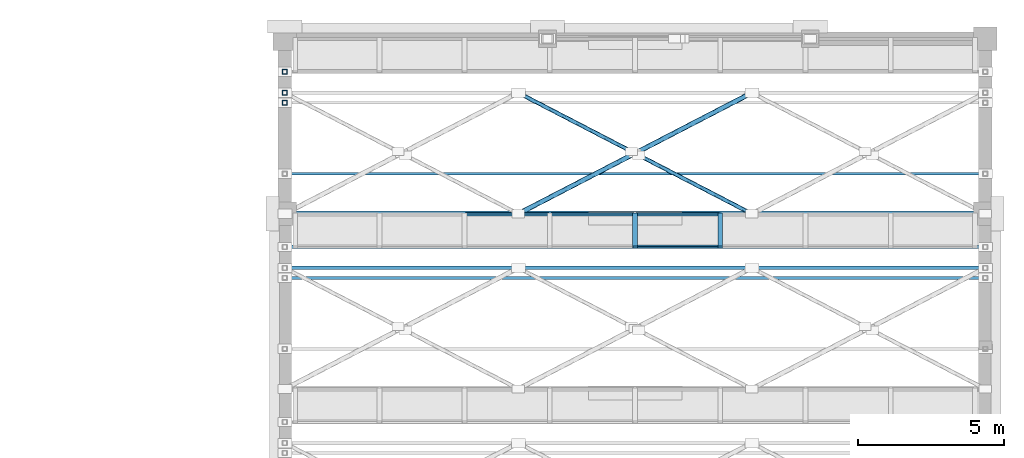
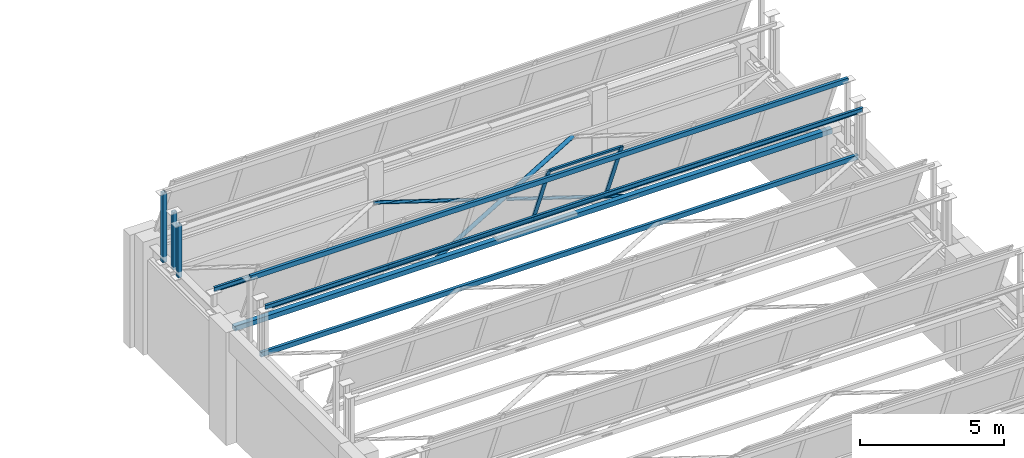
# One storey, part 60 of 98: 15 members, 2 beams, 1 element without a shape of its own.
"""IFC4 building model written with IfcOpenShell, lengths in metres."""

import ifcopenshell
import ifcopenshell.guid

model = None  # the IFC model being written
_history = None  # IfcOwnerHistory: only IFC2X3 demands one
_inside = {}  # id of a spatial element -> (the spatial element, [elements in it])
_under = {}  # id of a project, library or spatial element -> (it, [spatial elements below it])
_declared = {}  # id of a project -> (the project, [libraries it declares])
_typed = {}  # id of a type object -> (the type object, [elements of that type])
_made_of = {}  # id of a material, layer set ... -> (it, [elements and type objects made of it])


def new_model(schema):
    """Start an empty IFC model of exactly this schema.

    Asked for "IFC4X3", IfcOpenShell would pick the latest addendum, in which some entities
    have other attributes; the version numbers below select the first issue.
    IFC2X3 requires an IfcOwnerHistory on every rooted entity: one is made here for all.
    """
    global model, _history
    if schema == "IFC4X3":
        model = ifcopenshell.file(schema_version=(4, 3, 0, 0))
    else:
        model = ifcopenshell.file(schema=schema)
    _inside.clear()
    _under.clear()
    _declared.clear()
    _typed.clear()
    _made_of.clear()
    _history = None
    if model.schema == "IFC2X3":
        org = make("IfcOrganization", Name="unknown")
        user = make(
            "IfcPersonAndOrganization",
            ThePerson=make("IfcPerson", FamilyName="unknown"),
            TheOrganization=org,
        )
        app = make(
            "IfcApplication",
            ApplicationDeveloper=org,
            Version="unknown",
            ApplicationFullName="unknown",
            ApplicationIdentifier="unknown",
        )
        _history = make(
            "IfcOwnerHistory",
            OwningUser=user,
            OwningApplication=app,
            ChangeAction="ADDED",
            CreationDate=0,
        )
    return model


def make(cls, **values):
    """One entity of the class cls with the attributes given. An attribute that is None is left unset."""
    return model.create_entity(
        cls, **{name: value for name, value in values.items() if value is not None}
    )


def rooted(cls, **values):
    """An entity with a GlobalId (a new one), such as an element, a storey or a relation."""
    return make(cls, GlobalId=ifcopenshell.guid.new(), OwnerHistory=_history, **values)


def si_unit(unit_type, name, prefix=None):
    """IfcSIUnit, for example si_unit("LENGTHUNIT", "METRE", prefix="MILLI")."""
    return make("IfcSIUnit", UnitType=unit_type, Prefix=prefix, Name=name)


def assignment(units):
    """IfcUnitAssignment: the units of a project."""
    return None if units is None else make("IfcUnitAssignment", Units=units)


def point(xyz):
    """IfcCartesianPoint."""
    return None if xyz is None else make("IfcCartesianPoint", Coordinates=xyz)


def direction(xyz):
    """IfcDirection."""
    return None if xyz is None else make("IfcDirection", DirectionRatios=xyz)


def frame(location, z_axis=None, x_axis=None):
    """IfcAxis2Placement3D, a coordinate frame: its origin and axes. An axis left out is left unset."""
    return make(
        "IfcAxis2Placement3D",
        Location=point(location),
        Axis=direction(z_axis),
        RefDirection=direction(x_axis),
    )


def frame_2d(location, x_axis=None):
    """IfcAxis2Placement2D, a coordinate frame in the plane: its origin and x axis."""
    return make(
        "IfcAxis2Placement2D", Location=point(location), RefDirection=direction(x_axis)
    )


def origin():
    """The frame at (0, 0, 0) with its axes left unset."""
    return frame((0.0, 0.0, 0.0))


def origin_2d():
    """The frame at (0, 0) in the plane with its x axis left unset."""
    return frame_2d((0.0, 0.0))


def place(relative_to, where):
    """IfcLocalPlacement: puts the frame where relative to a parent placement (None: the world)."""
    return make(
        "IfcLocalPlacement", PlacementRelTo=relative_to, RelativePlacement=where
    )


def context(
    kind, dimensions, precision=None, world=None, true_north=None, identifier=None
):
    """IfcGeometricRepresentationContext, for example the 3D "Model" context."""
    return make(
        "IfcGeometricRepresentationContext",
        ContextIdentifier=identifier,
        ContextType=kind,
        CoordinateSpaceDimension=dimensions,
        Precision=precision,
        WorldCoordinateSystem=world,
        TrueNorth=true_north,
    )


def subcontext(parent, identifier, kind, view, scale=None):
    """IfcGeometricRepresentationSubContext, for example "Body" below "Model"."""
    return make(
        "IfcGeometricRepresentationSubContext",
        ContextIdentifier=identifier,
        ContextType=kind,
        ParentContext=parent,
        TargetScale=scale,
        TargetView=view,
    )


def project(units=None, contexts=None):
    """IfcProject with its units and contexts."""
    return rooted(
        "IfcProject",
        Name="project",
        RepresentationContexts=contexts,
        UnitsInContext=assignment(units),
    )


def spatial(cls, under=None, at=None, **own):
    """A site, building, storey or space (cls), placed at a placement, below another one or the project."""
    s = rooted(cls, ObjectPlacement=at, **own)
    if under is not None:
        _under.setdefault(under.id(), (under, []))[1].append(s)
    return s


def profile(cls, at=None, kind="AREA", **sizes):
    """A parametric profile (cls). Its sizes go by their IFC names, for example OverallWidth=200.0."""
    return make(cls, ProfileType=kind, Position=at, **sizes)


def hollow_rectangle(**sizes):
    """IfcRectangleHollowProfileDef."""
    return profile("IfcRectangleHollowProfileDef", **sizes)


def hollow_circle(**sizes):
    """IfcCircleHollowProfileDef."""
    return profile("IfcCircleHollowProfileDef", **sizes)


def i_section(**sizes):
    """IfcIShapeProfileDef."""
    return profile("IfcIShapeProfileDef", **sizes)


def extrude(swept, where, along, depth):
    """IfcExtrudedAreaSolid: the profile swept, set in the frame where, extruded along a direction by depth."""
    return make(
        "IfcExtrudedAreaSolid",
        SweptArea=swept,
        Position=where,
        ExtrudedDirection=direction(along),
        Depth=depth,
    )


def shape(context_of_items, identifier, shape_type, items):
    """IfcShapeRepresentation: the items that make up one representation, for example the "Body"."""
    return make(
        "IfcShapeRepresentation",
        ContextOfItems=context_of_items,
        RepresentationIdentifier=identifier,
        RepresentationType=shape_type,
        Items=items,
    )


def material(Name=None, Category=None):
    """IfcMaterial."""
    return make("IfcMaterial", Name=Name, Category=Category)


def material_profile(
    of_material, cross_section, Name=None, Category=None, Priority=None
):
    """IfcMaterialProfile: a cross section and its material."""
    return make(
        "IfcMaterialProfile",
        Name=Name,
        Material=of_material,
        Profile=cross_section,
        Priority=Priority,
        Category=Category,
    )


def profile_set(profiles, Name=None, composite=None):
    """IfcMaterialProfileSet."""
    return make(
        "IfcMaterialProfileSet",
        Name=Name,
        MaterialProfiles=profiles,
        CompositeProfile=composite,
    )


def made_of(thing, what):
    """Note that an element or type object is made of a material, layer set ...; save() writes the relation."""
    if what is not None:
        _made_of.setdefault(what.id(), (what, []))[1].append(thing)
    return thing


def type_object(cls, material=None, **own):
    """A type object (cls), such as IfcWallType, which elements share."""
    return made_of(rooted(cls, **own), material)


def element(
    cls,
    number,
    at=None,
    inside=None,
    cuts=None,
    type_object=None,
    material=None,
    context=None,
    identifier="Body",
    shape_type=None,
    held_by="IfcProductDefinitionShape",
    body=None,
    shapes=None,
    **own,
):
    """One element of the class cls, such as IfcWall. Its Tag is "e" and its number.

    at: its placement. inside: the storey or other place that contains it. cuts: it is an
    opening in that element (IfcRelVoidsElement). A single representation is given by context,
    identifier, shape_type and body (its items); several are given by shapes. held_by: the class
    of the entity that holds the representations. save() writes the other relations.
    """
    e = rooted(cls, Tag="e%d" % number, ObjectPlacement=at, **own)
    if body is not None:
        shapes = [shape(context, identifier, shape_type, body)]
    if shapes is not None:
        e.Representation = make(held_by, Representations=shapes)
    if inside is not None:
        _inside.setdefault(inside.id(), (inside, []))[1].append(e)
    if cuts is not None:
        rooted(
            "IfcRelVoidsElement", RelatingBuildingElement=cuts, RelatedOpeningElement=e
        )
    if type_object is not None:
        _typed.setdefault(type_object.id(), (type_object, []))[1].append(e)
    return made_of(e, material)


def aggregate(whole, parts):
    """IfcRelAggregates: a whole, such as a stair, and the parts it consists of."""
    return rooted("IfcRelAggregates", RelatingObject=whole, RelatedObjects=parts)


def save(model, path):
    """Write the relations noted so far, then the file.

    IfcRelAggregates (storeys below a building ...), IfcRelContainedInSpatialStructure (elements
    in a storey), IfcRelDefinesByType, IfcRelAssociatesMaterial and IfcRelDeclares: one each for
    every whole, place, type object, material and project.
    """
    for whole, parts in _under.values():
        aggregate(whole, parts)
    for where, things in _inside.values():
        rooted(
            "IfcRelContainedInSpatialStructure",
            RelatedElements=things,
            RelatingStructure=where,
        )
    for kind, things in _typed.values():
        rooted("IfcRelDefinesByType", RelatedObjects=things, RelatingType=kind)
    for what, things in _made_of.values():
        rooted("IfcRelAssociatesMaterial", RelatedObjects=things, RelatingMaterial=what)
    for by, libraries in _declared.values():
        rooted("IfcRelDeclares", RelatingContext=by, RelatedDefinitions=libraries)
    model.write(path)


model = new_model("IFC4")

# Units and contexts
model_context = context("Model", 3, precision=1e-05, world=origin(), true_north=direction((0.0, 1.0)))
body_context = subcontext(model_context, "Body", "Model", "MODEL_VIEW")
ifc_project = project(units=[si_unit("LENGTHUNIT", "METRE"), si_unit("AREAUNIT", "SQUARE_METRE"), si_unit("VOLUMEUNIT", "CUBIC_METRE"), si_unit("PLANEANGLEUNIT", "RADIAN"), si_unit("MASSUNIT", "GRAM", prefix="KILO")], contexts=[model_context])

# Site, building, storey
site_placement = place(None, origin())
site = spatial("IfcSite", under=ifc_project, at=site_placement, CompositionType="ELEMENT")
building_placement = place(site_placement, origin())
building = spatial("IfcBuilding", under=site, at=building_placement, Name="Lykobir Media Centre", CompositionType="ELEMENT")
storey_placement = place(building_placement, frame((0.0, 0.0, 10.199951171875)))
storey = spatial("IfcBuildingStorey", under=building, at=storey_placement, Name="L02", CompositionType="ELEMENT", Elevation=10.199951171875)

# Members
ifc_material_1 = material(Name="Steel S355", Category="steel")
ifc_material_profile_1 = material_profile(ifc_material_1, hollow_circle(Radius=0.06982421875, WallThickness=0.008056640625, at=origin_2d()), Name="CHS 139.7x8.0")
ifc_profile_set_1 = profile_set([ifc_material_profile_1], Name="Steel S355")
member_type_1 = type_object("IfcMemberType", Name="BR-CHS140", PredefinedType="BRACE", material=ifc_profile_set_1)
member_1_placement = place(storey_placement, frame((160.0, 108.0, 4.43994140625), z_axis=(-0.887879780504, 0.460075532247, 0.0), x_axis=(-0.460075532247, -0.887879780504, 0.0)))
element("IfcMember", 1, at=member_1_placement, inside=storey, type_object=member_type_1, Name="Diagonal brace MEM2-L02-1600-1080-0146-1561-1100-0412", PredefinedType="BRACE", context=body_context, shape_type="SweptSolid", body=[
    extrude(hollow_circle(Radius=0.06982421875, WallThickness=0.008056640625, at=origin_2d()), origin(), (0.0, 0.0, 1.0), 4.365234375),
])
member_2_placement = place(storey_placement, frame((155.875732421875, 110.136962890625, 4.43994140625), z_axis=(-0.88790262671, 0.460031439666, 0.0), x_axis=(-0.460031439666, -0.88790262671, 0.0)))
element("IfcMember", 2, at=member_2_placement, inside=storey, type_object=member_type_1, Name="Diagonal brace MEM2-L02-1559-1101-0146-1520-1121-0413", PredefinedType="BRACE", context=body_context, shape_type="SweptSolid", body=[
    extrude(hollow_circle(Radius=0.06982421875, WallThickness=0.008056640625, at=origin_2d()), origin(), (0.0, 0.0, 1.0), 4.364990234375),
])
ifc_material_profile_2 = material_profile(ifc_material_1, hollow_circle(Radius=0.084228515625, WallThickness=0.010009765625, at=origin_2d()), Name="CHS 168.3x10.0")
ifc_profile_set_2 = profile_set([ifc_material_profile_2], Name="Steel S355")
member_type_2 = type_object("IfcMemberType", Name="BR-CHS168", PredefinedType="BRACE", material=ifc_profile_set_2)
member_3_placement = place(storey_placement, frame((152.0, 108.0, 4.43994140625), z_axis=(0.887896386773, 0.460043483113, 0.0), x_axis=(-0.460043483113, 0.887896386773, 0.0)))
element("IfcMember", 3, at=member_3_placement, inside=storey, type_object=member_type_2, Name="Diagonal brace MEM2-L02-1520-1080-0146-1600-1121-0411", PredefinedType="BRACE", context=body_context, shape_type="SweptSolid", body=[
    extrude(hollow_circle(Radius=0.084228515625, WallThickness=0.010009765625, at=origin_2d()), origin(), (0.0, 0.0, 1.0), 9.010009765625),
])
ifc_material_profile_3 = material_profile(ifc_material_1, hollow_rectangle(XDim=0.159912109375, YDim=0.159912109375, WallThickness=0.008056640625, at=origin_2d()), Name="SHS 160x160x8")
ifc_profile_set_3 = profile_set([ifc_material_profile_3], Name="Steel S355")
member_type_3 = type_object("IfcMemberType", Name="BR-SHS160", PredefinedType="BRACE", material=ifc_profile_set_3)
member_4_placement = place(storey_placement, frame((144.0, 112.864990234375, 4.300048828125), z_axis=(0.0, 0.0, 1.0), x_axis=(1.0, 0.0, 0.0)))
element("IfcMember", 4, at=member_4_placement, inside=storey, type_object=member_type_3, Name="Diagonal brace MEM2-L02-1440-1129-0145-1440-1129-0402", PredefinedType="BRACE", context=body_context, shape_type="SweptSolid", body=[
    extrude(hollow_rectangle(XDim=0.159912109375, YDim=0.159912109375, WallThickness=0.008056640625, at=origin_2d()), origin(), (0.0, 0.0, 1.0), 2.958984375),
])
member_5_placement = place(storey_placement, frame((144.0, 112.14501953125, 4.43994140625), z_axis=(0.0, 0.0, 1.0), x_axis=(1.0, 0.0, 0.0)))
element("IfcMember", 5, at=member_5_placement, inside=storey, type_object=member_type_3, Name="Diagonal brace MEM2-L02-1440-1121-0146-1440-1121-0404", PredefinedType="BRACE", context=body_context, shape_type="SweptSolid", body=[
    extrude(hollow_rectangle(XDim=0.159912109375, YDim=0.159912109375, WallThickness=0.008056640625, at=origin_2d()), origin(), (0.0, 0.0, 1.0), 2.433349609375),
])
member_6_placement = place(storey_placement, frame((144.0, 111.805908203125, 4.300048828125), z_axis=(0.0, 0.0, 1.0), x_axis=(1.0, 0.0, 0.0)))
element("IfcMember", 6, at=member_6_placement, inside=storey, type_object=member_type_3, Name="Diagonal brace MEM2-L02-1440-1118-0145-1440-1118-0419", PredefinedType="BRACE", context=body_context, shape_type="SweptSolid", body=[
    extrude(hollow_rectangle(XDim=0.159912109375, YDim=0.159912109375, WallThickness=0.008056640625, at=origin_2d()), origin(), (0.0, 0.0, 1.0), 2.24462890625),
])

# Curtain wall, members
ifc_material_2 = material(Name="Anodized Aluminium AW-6060", Category="aluminium")
curtain_wall_type = type_object("IfcCurtainWallType", Name="CW-NL-V2", PredefinedType="NOTDEFINED", material=ifc_material_2)
curtain_wall_placement = place(storey_placement, origin())
curtain_wall = element("IfcCurtainWall", 7, at=curtain_wall_placement, inside=storey, type_object=curtain_wall_type, Name="Curtain wall CW-NL-V2-06", PredefinedType="NOTDEFINED")
ifc_material_profile_4 = material_profile(ifc_material_2, hollow_rectangle(XDim=0.070068359375, YDim=0.1650390625, WallThickness=0.00390625, at=origin_2d()), Name="ALU MULLION 70x165")
ifc_profile_set_4 = profile_set([ifc_material_profile_4], Name="Anodized Aluminium AW-6060")
member_type_4 = type_object("IfcMemberType", Name="CWM-165", PredefinedType="MULLION", material=ifc_profile_set_4)
member_7_placement = place(storey_placement, frame((156.0, 108.0, 4.800048828125), z_axis=(0.0, -0.374653582974, 0.927164868168), x_axis=(0.0, 0.927164868168, 0.374653582974)))
member_7 = element("IfcMember", 8, at=member_7_placement, type_object=member_type_4, Name="CW-NL-V2-06 mullion 5", PredefinedType="MULLION", context=body_context, shape_type="SweptSolid", body=[
    extrude(hollow_rectangle(XDim=0.070068359375, YDim=0.1650390625, WallThickness=0.00390625, at=origin_2d()), origin(), (0.0, 0.0, 1.0), 3.029541015625),
])
member_8_placement = place(storey_placement, frame((158.919921875, 108.0, 4.800048828125), z_axis=(0.0, -0.374653582974, 0.927164868168), x_axis=(0.0, 0.927164868168, 0.374653582974)))
member_8 = element("IfcMember", 9, at=member_8_placement, type_object=member_type_4, Name="CW-NL-V2-06 mullion 6", PredefinedType="MULLION", context=body_context, shape_type="SweptSolid", body=[
    extrude(hollow_rectangle(XDim=0.070068359375, YDim=0.1650390625, WallThickness=0.00390625, at=origin_2d()), origin(), (0.0, 0.0, 1.0), 3.029541015625),
])
ifc_material_profile_5 = material_profile(ifc_material_2, hollow_rectangle(XDim=0.070068359375, YDim=0.135009765625, WallThickness=0.00341796875, at=origin_2d()), Name="ALU TRANSOM 70x135")
ifc_profile_set_5 = profile_set([ifc_material_profile_5], Name="Anodized Aluminium AW-6060")
member_type_5 = type_object("IfcMemberType", Name="CWT-135", PredefinedType="USERDEFINED", material=ifc_profile_set_5)
member_9_placement = place(storey_placement, frame((150.195068359375, 107.98681640625, 4.83251953125), z_axis=(1.0, 0.0, 0.0), x_axis=(0.0, 0.927183854567, 0.374606593416)))
member_9 = element("IfcMember", 10, at=member_9_placement, type_object=member_type_5, Name="CW-NL-V2-06 transom 3.1", ObjectType="TRANSOM", PredefinedType="USERDEFINED", context=body_context, shape_type="SweptSolid", body=[
    extrude(hollow_rectangle(XDim=0.070068359375, YDim=0.135009765625, WallThickness=0.00341796875, at=origin_2d()), origin(), (0.0, 0.0, 1.0), 2.849853515625),
])
member_10_placement = place(storey_placement, frame((153.114990234375, 107.98681640625, 4.83251953125), z_axis=(1.0, 0.0, 0.0), x_axis=(0.0, 0.927183854567, 0.374606593416)))
member_10 = element("IfcMember", 11, at=member_10_placement, type_object=member_type_5, Name="CW-NL-V2-06 transom 4.1", ObjectType="TRANSOM", PredefinedType="USERDEFINED", context=body_context, shape_type="SweptSolid", body=[
    extrude(hollow_rectangle(XDim=0.070068359375, YDim=0.135009765625, WallThickness=0.00341796875, at=origin_2d()), origin(), (0.0, 0.0, 1.0), 2.85009765625),
])
member_11_placement = place(storey_placement, frame((156.034912109375, 107.98681640625, 4.83251953125), z_axis=(1.0, 0.0, 0.0), x_axis=(0.0, 0.927183854567, 0.374606593416)))
member_11 = element("IfcMember", 12, at=member_11_placement, type_object=member_type_5, Name="CW-NL-V2-06 transom 5.1", ObjectType="TRANSOM", PredefinedType="USERDEFINED", context=body_context, shape_type="SweptSolid", body=[
    extrude(hollow_rectangle(XDim=0.070068359375, YDim=0.135009765625, WallThickness=0.00341796875, at=origin_2d()), origin(), (0.0, 0.0, 1.0), 2.85009765625),
])
member_12_placement = place(storey_placement, frame((156.034912109375, 106.878173828125, 7.57666015625), z_axis=(1.0, 0.0, 0.0), x_axis=(0.0, 0.927183854567, 0.374606593416)))
member_12 = element("IfcMember", 13, at=member_12_placement, type_object=member_type_5, Name="CW-NL-V2-06 transom 5.2", ObjectType="TRANSOM", PredefinedType="USERDEFINED", context=body_context, shape_type="SweptSolid", body=[
    extrude(hollow_rectangle(XDim=0.070068359375, YDim=0.135009765625, WallThickness=0.00341796875, at=origin_2d()), origin(), (0.0, 0.0, 1.0), 2.85009765625),
])
aggregate(curtain_wall, [member_7, member_8, member_9, member_10, member_11, member_12])

# Beams
ifc_material_profile_6 = material_profile(ifc_material_1, i_section(OverallWidth=0.10009765625, OverallDepth=0.199951171875, WebThickness=0.005615234375, FlangeThickness=0.008544921875, at=origin_2d()), Name="IPE 200")
ifc_profile_set_6 = profile_set([ifc_material_profile_6], Name="Steel S355")
beam_type = type_object("IfcBeamType", Name="PR-IPE200", PredefinedType="JOIST", material=ifc_profile_set_6)
for number, where, z_axis, x_axis, name in (
    (14, (144.0, 105.805908203125, 6.634765625), (1.0, 0.0, 0.0), (0.0, 1.0, 0.0), "Beam BM-L02-1440-1058-1680-1058-1683"),
    (15, (144.0, 109.373291015625, 5.23046875), (1.0, 0.0, 0.0), (0.0, 1.0, 0.0), "Beam BM-L02-1440-1094-1680-1094-1543"),
):
    element("IfcBeam", number, at=place(storey_placement, frame(where, z_axis=z_axis, x_axis=x_axis)), inside=storey, type_object=beam_type, Name=name, PredefinedType="JOIST", context=body_context, shape_type="SweptSolid", body=[
        extrude(i_section(OverallWidth=0.10009765625, OverallDepth=0.199951171875, WebThickness=0.005615234375, FlangeThickness=0.008544921875, at=origin_2d()), origin(), (0.0, 0.0, 1.0), 24.0),
    ])

# Members
ifc_material_profile_7 = material_profile(ifc_material_1, hollow_rectangle(XDim=0.1201171875, YDim=0.199951171875, WallThickness=0.010009765625, at=origin_2d()), Name="RHS 200x120x10")
ifc_profile_set_7 = profile_set([ifc_material_profile_7], Name="Steel S355")
member_type_6 = type_object("IfcMemberType", Name="TC-RHS200", PredefinedType="CHORD", material=ifc_profile_set_7)
for number, where, z_axis, x_axis, name in (
    (16, (144.0, 106.864990234375, 7.259033203125), (1.0, 0.0, 0.0), (0.0, 1.0, 0.0), "Truss chord MEM2-L02-1440-1069-0175-1680-1069-0386"),
    (17, (144.0, 106.14501953125, 4.43994140625), (1.0, 0.0, 0.0), (0.0, 1.0, 0.0), "Truss chord MEM2-L02-1440-1061-0146-1680-1061-0387"),
):
    element("IfcMember", number, at=place(storey_placement, frame(where, z_axis=z_axis, x_axis=x_axis)), inside=storey, type_object=member_type_6, Name=name, PredefinedType="CHORD", context=body_context, shape_type="SweptSolid", body=[
        extrude(hollow_rectangle(XDim=0.1201171875, YDim=0.199951171875, WallThickness=0.010009765625, at=origin_2d()), origin(), (0.0, 0.0, 1.0), 24.0),
    ])
ifc_material_profile_8 = material_profile(ifc_material_1, hollow_rectangle(XDim=0.199951171875, YDim=0.199951171875, WallThickness=0.010009765625, at=origin_2d()), Name="SHS 200x200x10")
ifc_profile_set_8 = profile_set([ifc_material_profile_8], Name="Steel S355")
member_type_7 = type_object("IfcMemberType", Name="TC-SHS200", PredefinedType="CHORD", material=ifc_profile_set_8)
member_13_placement = place(storey_placement, frame((144.0, 108.0, 4.43994140625), z_axis=(1.0, 0.0, 0.0), x_axis=(0.0, 1.0, 0.0)))
element("IfcMember", 18, at=member_13_placement, inside=storey, type_object=member_type_7, Name="Truss chord MEM2-L02-1440-1080-0146-1680-1080-0401", PredefinedType="CHORD", context=body_context, shape_type="SweptSolid", body=[
    extrude(hollow_rectangle(XDim=0.199951171875, YDim=0.199951171875, WallThickness=0.010009765625, at=origin_2d()), origin(), (0.0, 0.0, 1.0), 24.0),
])

save(model, "model.ifc")
